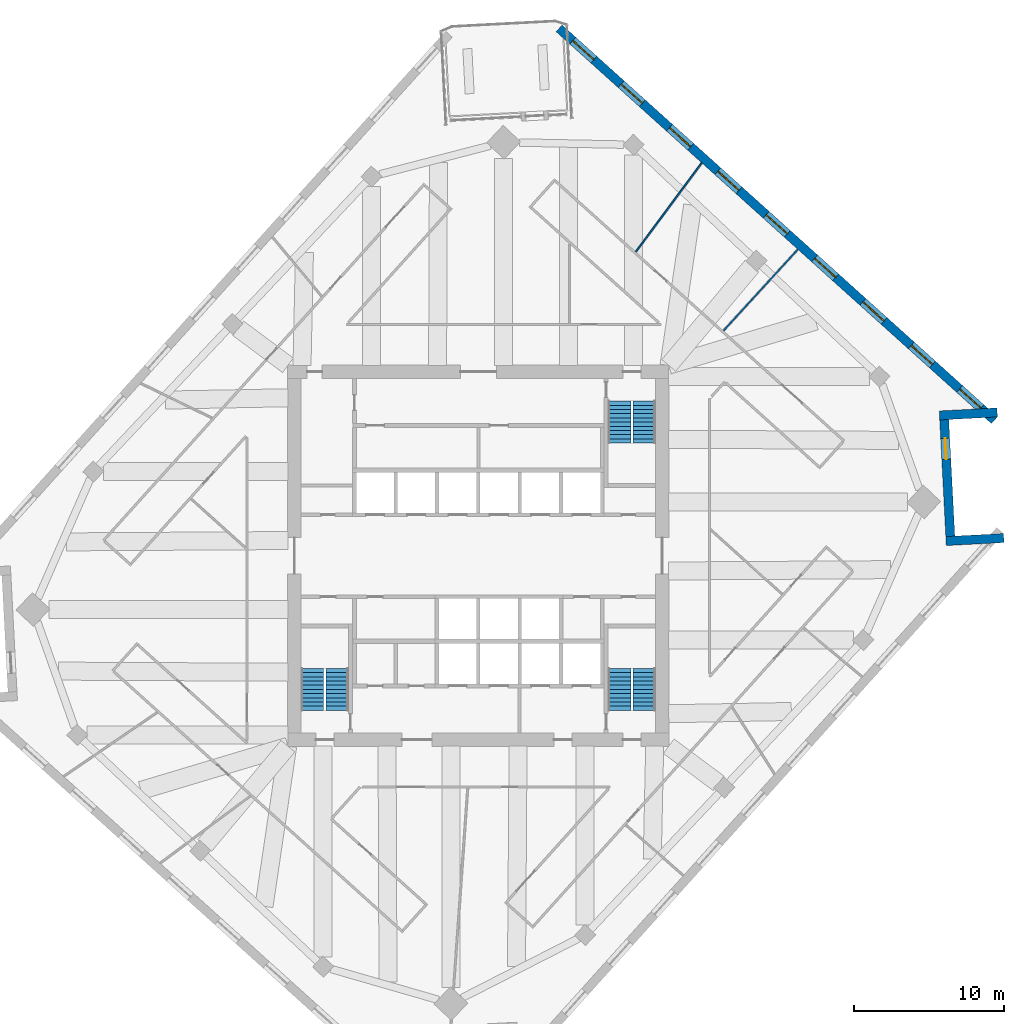
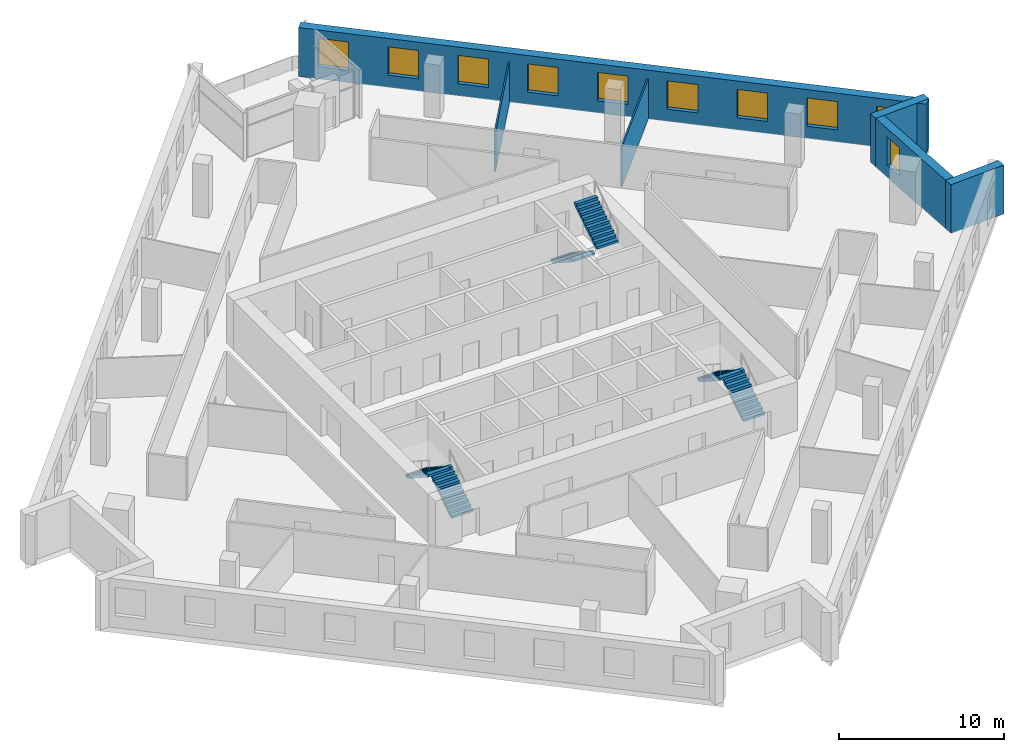
# One storey, part 10 of 12: 10 windows, 6 stair flights, 6 walls, 10 openings, 3 elements without a shape of their own.
"""IFC4 building model written with IfcOpenShell, lengths in metres."""

from ifc_helpers import new_model, si_unit, direction, frame, frame_2d, origin, place, context, subcontext, project, spatial, polyline, rectangle, outline, extrude, material, layer, layer_set, type_object, element, fill, aggregate, save


model = new_model("IFC4")

# Units and contexts
model_context = context("Model", 3, precision=1e-05, world=origin(), true_north=direction((0.0, 1.0)))
body_context = subcontext(model_context, "Body", "Model", "MODEL_VIEW")
ifc_project = project(units=[si_unit("LENGTHUNIT", "METRE"), si_unit("AREAUNIT", "SQUARE_METRE"), si_unit("VOLUMEUNIT", "CUBIC_METRE"), si_unit("PLANEANGLEUNIT", "RADIAN"), si_unit("MASSUNIT", "GRAM", prefix="KILO")], contexts=[model_context])

# Site, building, storey
site_placement = place(None, origin())
site = spatial("IfcSite", under=ifc_project, at=site_placement, CompositionType="ELEMENT")
building_placement = place(site_placement, origin())
building = spatial("IfcBuilding", under=site, at=building_placement, Name="Dilmun Exchange Tower", CompositionType="ELEMENT")
storey_placement = place(building_placement, frame((0.0, 0.0, 217.300048828125)))
storey = spatial("IfcBuildingStorey", under=building, at=storey_placement, Name="L51", CompositionType="ELEMENT", Elevation=217.300048828125)

# Walls
ifc_material_1 = material(Name="Partition 100")
ifc_layer_1 = layer(ifc_material_1, 0.10009765625)
ifc_layer_set_1 = layer_set([ifc_layer_1], Name="Partition 100")
wall_type_1 = type_object("IfcWallType", Name="Partition 100", PredefinedType="PARTITIONING", material=ifc_layer_set_1)
wall_1_placement = place(storey_placement, frame((10.48876953125, 20.23828125, 0.0), z_axis=(0.0, 0.0, 1.0), x_axis=(0.595992284238, 0.802990160045, 0.0)))
element("IfcWall", 1, at=wall_1_placement, inside=storey, type_object=wall_type_1, Name="Partition", PredefinedType="PARTITIONING", context=body_context, shape_type="SweptSolid", body=[
    extrude(rectangle(XDim=7.37255859375, YDim=0.10009765625, at=frame_2d((3.686279296875, 0.0))), origin(), (0.0, 0.0, 1.0), 2.969970703125),
])
wall_2_placement = place(storey_placement, frame((16.31884765625, 14.982666015625, 0.0), z_axis=(0.0, 0.0, 1.0), x_axis=(0.675134344503, 0.737694799272, 0.0)))
element("IfcWall", 2, at=wall_2_placement, inside=storey, type_object=wall_type_1, Name="Partition", PredefinedType="PARTITIONING", context=body_context, shape_type="SweptSolid", body=[
    extrude(rectangle(XDim=7.344482421875, YDim=0.10009765625, at=frame_2d((3.67236328125, 0.0))), origin(), (0.0, 0.0, 1.0), 2.969970703125),
])
ifc_material_2 = material(Name="Precast concrete C50/60", Category="concrete")
ifc_layer_2 = layer(ifc_material_2, 0.60009765625)
ifc_layer_set_2 = layer_set([ifc_layer_2], Name="Precast concrete C50/60")
wall_type_2 = type_object("IfcWallType", Name="Precast stone-clad wall 600", PredefinedType="STANDARD", material=ifc_layer_set_2)
wall_3_placement = place(storey_placement, frame((34.988037109375, 1.17919921875, 0.0), z_axis=(0.0, 0.0, 1.0), x_axis=(-0.998628154457, -0.05236228724, 0.0)))
element("IfcWall", 3, at=wall_3_placement, inside=storey, type_object=wall_type_2, Name="Facade wall L51-12", PredefinedType="STANDARD", context=body_context, shape_type="SweptSolid", body=[
    extrude(rectangle(XDim=3.8466796875, YDim=0.60009765625, at=frame_2d((1.92333984375, 0.0))), origin(), (0.0, 0.0, 1.0), 3.619873046875),
])

# Wall, opening, window
wall_4_placement = place(storey_placement, frame((31.4306640625, 1.293212890625, 0.0), z_axis=(0.0, 0.0, 1.0), x_axis=(-0.052323250701, 0.998630200543, 0.0)))
wall_4 = element("IfcWall", 4, at=wall_4_placement, inside=storey, type_object=wall_type_2, Name="Facade wall L51-13", PredefinedType="STANDARD", context=body_context, shape_type="SweptSolid", body=[
    extrude(rectangle(XDim=7.7783203125, YDim=0.60009765625, at=frame_2d((3.88916015625, 0.0))), origin(), (0.0, 0.0, 1.0), 3.619873046875),
])
opening_1_placement = place(wall_4_placement, frame((5.133544921875, 0.0, 0.89990234375)))
opening_1 = element("IfcOpeningElement", 5, at=opening_1_placement, cuts=wall_4, Name="Opening W140-210", PredefinedType="OPENING", context=body_context, shape_type="SweptSolid", body=[
    extrude(rectangle(XDim=1.39990234375, YDim=2.10009765625, at=frame_2d((0.699951171875, 1.050048828125))), frame((0.0, 0.31005859375, 0.0), z_axis=(0.0, -1.0, 0.0), x_axis=(1.0, 0.0, 0.0)), (0.0, 0.0, 1.0), 0.6201171875),
])
ifc_material_3 = material(Name="Clear low-emissivity glass in aluminium frame", Category="aluminium")
window_type_1 = type_object("IfcWindowType", Name="Punched window 1400 x 2100", PartitioningType="DOUBLE_PANEL_VERTICAL", PredefinedType="WINDOW", material=ifc_material_3)
window_1_placement = place(opening_1_placement, origin())
window_1 = element("IfcWindow", 6, at=window_1_placement, inside=storey, type_object=window_type_1, Name="Window 14.2", OverallHeight=2.10009765625, OverallWidth=1.39990234375, PartitioningType="SINGLE_PANEL", PredefinedType="WINDOW", context=body_context, shape_type="SweptSolid", body=[
    extrude(rectangle(XDim=1.39990234375, YDim=2.10009765625, at=frame_2d((0.699951171875, 1.050048828125))), frame((0.0, 0.030029296875, 0.0), z_axis=(0.0, -1.0, 0.0), x_axis=(1.0, 0.0, 0.0)), (0.0, 0.0, 1.0), 0.06005859375),
])
fill(opening_1, window_1)

# Wall
wall_5_placement = place(storey_placement, frame((30.70849609375, 9.344482421875, 0.0), z_axis=(0.0, 0.0, 1.0), x_axis=(0.99862798042, 0.052365606295, 0.0)))
element("IfcWall", 7, at=wall_5_placement, inside=storey, type_object=wall_type_2, Name="Facade wall L51-14", PredefinedType="STANDARD", context=body_context, shape_type="SweptSolid", body=[
    extrude(rectangle(XDim=3.846435546875, YDim=0.60009765625, at=frame_2d((1.92333984375, 0.0))), origin(), (0.0, 0.0, 1.0), 3.619873046875),
])

# Wall, openings, windows
wall_6_placement = place(storey_placement, frame((34.364501953125, 9.0234375, 0.0), z_axis=(0.0, 0.0, 1.0), x_axis=(-0.743146896498, 0.66912830625, 0.0)))
wall_6 = element("IfcWall", 8, at=wall_6_placement, inside=storey, type_object=wall_type_2, Name="Facade wall L51-15", PredefinedType="STANDARD", context=body_context, shape_type="SweptSolid", body=[
    extrude(rectangle(XDim=39.0, YDim=0.60009765625, at=frame_2d((19.5, 0.0))), origin(), (0.0, 0.0, 1.0), 3.619873046875),
])
opening_2_placement = place(wall_6_placement, frame((1.216796875, 0.0, 0.89990234375)))
opening_2 = element("IfcOpeningElement", 9, at=opening_2_placement, cuts=wall_6, Name="Opening W190-210", PredefinedType="OPENING", context=body_context, shape_type="SweptSolid", body=[
    extrude(rectangle(XDim=1.89990234375, YDim=2.10009765625, at=frame_2d((0.949951171875, 1.050048828125))), frame((0.0, 0.31005859375, 0.0), z_axis=(0.0, -1.0, 0.0), x_axis=(1.0, 0.0, 0.0)), (0.0, 0.0, 1.0), 0.6201171875),
])
opening_3_placement = place(wall_6_placement, frame((5.550048828125, 0.0, 0.89990234375)))
opening_3 = element("IfcOpeningElement", 10, at=opening_3_placement, cuts=wall_6, Name="Opening W190-210", PredefinedType="OPENING", context=body_context, shape_type="SweptSolid", body=[
    extrude(rectangle(XDim=1.89990234375, YDim=2.10009765625, at=frame_2d((0.949951171875, 1.050048828125))), frame((0.0, 0.31005859375, 0.0), z_axis=(0.0, -1.0, 0.0), x_axis=(1.0, 0.0, 0.0)), (0.0, 0.0, 1.0), 0.6201171875),
])
opening_4_placement = place(wall_6_placement, frame((9.88330078125, 0.0, 0.89990234375)))
opening_4 = element("IfcOpeningElement", 11, at=opening_4_placement, cuts=wall_6, Name="Opening W190-210", PredefinedType="OPENING", context=body_context, shape_type="SweptSolid", body=[
    extrude(rectangle(XDim=1.89990234375, YDim=2.10009765625, at=frame_2d((0.949951171875, 1.050048828125))), frame((0.0, 0.31005859375, 0.0), z_axis=(0.0, -1.0, 0.0), x_axis=(1.0, 0.0, 0.0)), (0.0, 0.0, 1.0), 0.6201171875),
])
opening_5_placement = place(wall_6_placement, frame((14.216796875, 0.0, 0.89990234375)))
opening_5 = element("IfcOpeningElement", 12, at=opening_5_placement, cuts=wall_6, Name="Opening W190-210", PredefinedType="OPENING", context=body_context, shape_type="SweptSolid", body=[
    extrude(rectangle(XDim=1.89990234375, YDim=2.10009765625, at=frame_2d((0.949951171875, 1.050048828125))), frame((0.0, 0.31005859375, 0.0), z_axis=(0.0, -1.0, 0.0), x_axis=(1.0, 0.0, 0.0)), (0.0, 0.0, 1.0), 0.6201171875),
])
opening_6_placement = place(wall_6_placement, frame((18.550048828125, 0.0, 0.89990234375)))
opening_6 = element("IfcOpeningElement", 13, at=opening_6_placement, cuts=wall_6, Name="Opening W190-210", PredefinedType="OPENING", context=body_context, shape_type="SweptSolid", body=[
    extrude(rectangle(XDim=1.89990234375, YDim=2.10009765625, at=frame_2d((0.949951171875, 1.050048828125))), frame((0.0, 0.31005859375, 0.0), z_axis=(0.0, -1.0, 0.0), x_axis=(1.0, 0.0, 0.0)), (0.0, 0.0, 1.0), 0.6201171875),
])
opening_7_placement = place(wall_6_placement, frame((22.88330078125, 0.0, 0.89990234375)))
opening_7 = element("IfcOpeningElement", 14, at=opening_7_placement, cuts=wall_6, Name="Opening W190-210", PredefinedType="OPENING", context=body_context, shape_type="SweptSolid", body=[
    extrude(rectangle(XDim=1.89990234375, YDim=2.10009765625, at=frame_2d((0.949951171875, 1.050048828125))), frame((0.0, 0.31005859375, 0.0), z_axis=(0.0, -1.0, 0.0), x_axis=(1.0, 0.0, 0.0)), (0.0, 0.0, 1.0), 0.6201171875),
])
opening_8_placement = place(wall_6_placement, frame((27.216796875, 0.0, 0.89990234375)))
opening_8 = element("IfcOpeningElement", 15, at=opening_8_placement, cuts=wall_6, Name="Opening W190-210", PredefinedType="OPENING", context=body_context, shape_type="SweptSolid", body=[
    extrude(rectangle(XDim=1.89990234375, YDim=2.10009765625, at=frame_2d((0.949951171875, 1.050048828125))), frame((0.0, 0.31005859375, 0.0), z_axis=(0.0, -1.0, 0.0), x_axis=(1.0, 0.0, 0.0)), (0.0, 0.0, 1.0), 0.6201171875),
])
opening_9_placement = place(wall_6_placement, frame((31.550048828125, 0.0, 0.89990234375)))
opening_9 = element("IfcOpeningElement", 16, at=opening_9_placement, cuts=wall_6, Name="Opening W190-210", PredefinedType="OPENING", context=body_context, shape_type="SweptSolid", body=[
    extrude(rectangle(XDim=1.89990234375, YDim=2.10009765625, at=frame_2d((0.949951171875, 1.050048828125))), frame((0.0, 0.31005859375, 0.0), z_axis=(0.0, -1.0, 0.0), x_axis=(1.0, 0.0, 0.0)), (0.0, 0.0, 1.0), 0.6201171875),
])
opening_10_placement = place(wall_6_placement, frame((35.88330078125, 0.0, 0.89990234375)))
opening_10 = element("IfcOpeningElement", 17, at=opening_10_placement, cuts=wall_6, Name="Opening W190-210", PredefinedType="OPENING", context=body_context, shape_type="SweptSolid", body=[
    extrude(rectangle(XDim=1.89990234375, YDim=2.10009765625, at=frame_2d((0.949951171875, 1.050048828125))), frame((0.0, 0.31005859375, 0.0), z_axis=(0.0, -1.0, 0.0), x_axis=(1.0, 0.0, 0.0)), (0.0, 0.0, 1.0), 0.6201171875),
])
window_type_2 = type_object("IfcWindowType", Name="Punched window 1900 x 2100", PartitioningType="DOUBLE_PANEL_VERTICAL", PredefinedType="WINDOW", material=ifc_material_3)
window_2_placement = place(opening_2_placement, origin())
window_2 = element("IfcWindow", 18, at=window_2_placement, inside=storey, type_object=window_type_2, Name="Window 16.1", OverallHeight=2.10009765625, OverallWidth=1.89990234375, PartitioningType="SINGLE_PANEL", PredefinedType="WINDOW", context=body_context, shape_type="SweptSolid", body=[
    extrude(rectangle(XDim=1.89990234375, YDim=2.10009765625, at=frame_2d((0.949951171875, 1.050048828125))), frame((0.0, 0.030029296875, 0.0), z_axis=(0.0, -1.0, 0.0), x_axis=(1.0, 0.0, 0.0)), (0.0, 0.0, 1.0), 0.06005859375),
])
fill(opening_2, window_2)
window_3_placement = place(opening_3_placement, origin())
window_3 = element("IfcWindow", 19, at=window_3_placement, inside=storey, type_object=window_type_2, Name="Window 16.2", OverallHeight=2.10009765625, OverallWidth=1.89990234375, PartitioningType="SINGLE_PANEL", PredefinedType="WINDOW", context=body_context, shape_type="SweptSolid", body=[
    extrude(rectangle(XDim=1.89990234375, YDim=2.10009765625, at=frame_2d((0.949951171875, 1.050048828125))), frame((0.0, 0.030029296875, 0.0), z_axis=(0.0, -1.0, 0.0), x_axis=(1.0, 0.0, 0.0)), (0.0, 0.0, 1.0), 0.06005859375),
])
fill(opening_3, window_3)
window_4_placement = place(opening_4_placement, origin())
window_4 = element("IfcWindow", 20, at=window_4_placement, inside=storey, type_object=window_type_2, Name="Window 16.3", OverallHeight=2.10009765625, OverallWidth=1.89990234375, PartitioningType="SINGLE_PANEL", PredefinedType="WINDOW", context=body_context, shape_type="SweptSolid", body=[
    extrude(rectangle(XDim=1.89990234375, YDim=2.10009765625, at=frame_2d((0.949951171875, 1.050048828125))), frame((0.0, 0.030029296875, 0.0), z_axis=(0.0, -1.0, 0.0), x_axis=(1.0, 0.0, 0.0)), (0.0, 0.0, 1.0), 0.06005859375),
])
fill(opening_4, window_4)
window_5_placement = place(opening_5_placement, origin())
window_5 = element("IfcWindow", 21, at=window_5_placement, inside=storey, type_object=window_type_2, Name="Window 16.4", OverallHeight=2.10009765625, OverallWidth=1.89990234375, PartitioningType="SINGLE_PANEL", PredefinedType="WINDOW", context=body_context, shape_type="SweptSolid", body=[
    extrude(rectangle(XDim=1.89990234375, YDim=2.10009765625, at=frame_2d((0.949951171875, 1.050048828125))), frame((0.0, 0.030029296875, 0.0), z_axis=(0.0, -1.0, 0.0), x_axis=(1.0, 0.0, 0.0)), (0.0, 0.0, 1.0), 0.06005859375),
])
fill(opening_5, window_5)
window_6_placement = place(opening_6_placement, origin())
window_6 = element("IfcWindow", 22, at=window_6_placement, inside=storey, type_object=window_type_2, Name="Window 16.5", OverallHeight=2.10009765625, OverallWidth=1.89990234375, PartitioningType="SINGLE_PANEL", PredefinedType="WINDOW", context=body_context, shape_type="SweptSolid", body=[
    extrude(rectangle(XDim=1.89990234375, YDim=2.10009765625, at=frame_2d((0.949951171875, 1.050048828125))), frame((0.0, 0.030029296875, 0.0), z_axis=(0.0, -1.0, 0.0), x_axis=(1.0, 0.0, 0.0)), (0.0, 0.0, 1.0), 0.06005859375),
])
fill(opening_6, window_6)
window_7_placement = place(opening_7_placement, origin())
window_7 = element("IfcWindow", 23, at=window_7_placement, inside=storey, type_object=window_type_2, Name="Window 16.6", OverallHeight=2.10009765625, OverallWidth=1.89990234375, PartitioningType="SINGLE_PANEL", PredefinedType="WINDOW", context=body_context, shape_type="SweptSolid", body=[
    extrude(rectangle(XDim=1.89990234375, YDim=2.10009765625, at=frame_2d((0.949951171875, 1.050048828125))), frame((0.0, 0.030029296875, 0.0), z_axis=(0.0, -1.0, 0.0), x_axis=(1.0, 0.0, 0.0)), (0.0, 0.0, 1.0), 0.06005859375),
])
fill(opening_7, window_7)
window_8_placement = place(opening_8_placement, origin())
window_8 = element("IfcWindow", 24, at=window_8_placement, inside=storey, type_object=window_type_2, Name="Window 16.7", OverallHeight=2.10009765625, OverallWidth=1.89990234375, PartitioningType="SINGLE_PANEL", PredefinedType="WINDOW", context=body_context, shape_type="SweptSolid", body=[
    extrude(rectangle(XDim=1.89990234375, YDim=2.10009765625, at=frame_2d((0.949951171875, 1.050048828125))), frame((0.0, 0.030029296875, 0.0), z_axis=(0.0, -1.0, 0.0), x_axis=(1.0, 0.0, 0.0)), (0.0, 0.0, 1.0), 0.06005859375),
])
fill(opening_8, window_8)
window_9_placement = place(opening_9_placement, origin())
window_9 = element("IfcWindow", 25, at=window_9_placement, inside=storey, type_object=window_type_2, Name="Window 16.8", OverallHeight=2.10009765625, OverallWidth=1.89990234375, PartitioningType="SINGLE_PANEL", PredefinedType="WINDOW", context=body_context, shape_type="SweptSolid", body=[
    extrude(rectangle(XDim=1.89990234375, YDim=2.10009765625, at=frame_2d((0.949951171875, 1.050048828125))), frame((0.0, 0.030029296875, 0.0), z_axis=(0.0, -1.0, 0.0), x_axis=(1.0, 0.0, 0.0)), (0.0, 0.0, 1.0), 0.06005859375),
])
fill(opening_9, window_9)
window_10_placement = place(opening_10_placement, origin())
window_10 = element("IfcWindow", 26, at=window_10_placement, inside=storey, type_object=window_type_2, Name="Window 16.9", OverallHeight=2.10009765625, OverallWidth=1.89990234375, PartitioningType="SINGLE_PANEL", PredefinedType="WINDOW", context=body_context, shape_type="SweptSolid", body=[
    extrude(rectangle(XDim=1.89990234375, YDim=2.10009765625, at=frame_2d((0.949951171875, 1.050048828125))), frame((0.0, 0.030029296875, 0.0), z_axis=(0.0, -1.0, 0.0), x_axis=(1.0, 0.0, 0.0)), (0.0, 0.0, 1.0), 0.06005859375),
])
fill(opening_10, window_10)

# Stair, stair flights
ifc_material_4 = material(Name="Concrete C40/50", Category="concrete")
stair_type = type_object("IfcStairType", Name="Exit stair 1500 half-turn", PredefinedType="HALF_TURN_STAIR", material=ifc_material_4)
stair_1_placement = place(storey_placement, origin())
stair_1 = element("IfcStair", 27, at=stair_1_placement, inside=storey, type_object=stair_type, Name="L51 Protected exit stair ST1", PredefinedType="HALF_TURN_STAIR")
stair_flight_type = type_object("IfcStairFlightType", Name="Exit stair flight 1500", PredefinedType="STRAIGHT", material=ifc_material_4)
stair_flight_1_placement = place(storey_placement, frame((9.39990234375, 10.300048828125, 0.0), z_axis=(0.0, 0.0, 1.0), x_axis=(0.0, -1.0, 0.0)))
stair_flight_1 = element("IfcStairFlight", 28, at=stair_flight_1_placement, type_object=stair_flight_type, Name="ST1 flight 1", NumberOfRisers=11, NumberOfTreads=10, PredefinedType="STRAIGHT", RiserHeight=0.181818182, TreadLength=0.28, context=body_context, shape_type="SweptSolid", body=[
    extrude(outline(polyline([(0.0, 0.0), (0.0, 0.181884765625), (0.280029296875, 0.181884765625), (0.280029296875, 0.363525390625), (0.56005859375, 0.363525390625), (0.56005859375, 0.54541015625), (0.840087890625, 0.54541015625), (0.840087890625, 0.727294921875), (1.1201171875, 0.727294921875), (1.1201171875, 0.9091796875), (1.39990234375, 0.9091796875), (1.39990234375, 1.0908203125), (1.679931640625, 1.0908203125), (1.679931640625, 1.272705078125), (1.9599609375, 1.272705078125), (1.9599609375, 1.45458984375), (2.239990234375, 1.45458984375), (2.239990234375, 1.636474609375), (2.52001953125, 1.636474609375), (2.52001953125, 1.818115234375), (2.800048828125, 1.818115234375), (2.800048828125, 2.0), (2.800048828125, 1.639404296875), (0.275146484375, 0.0), (0.0, 0.0)])), frame((0.0, 0.75, 0.0), z_axis=(0.0, -1.0, 0.0), x_axis=(1.0, 0.0, 0.0)), (0.0, 0.0, 1.0), 1.5),
])
stair_flight_2_placement = place(storey_placement, frame((11.050048828125, 7.5, 2.0), z_axis=(0.0, 0.0, 1.0), x_axis=(0.0, 1.0, 0.0)))
stair_flight_2 = element("IfcStairFlight", 29, at=stair_flight_2_placement, type_object=stair_flight_type, Name="ST1 flight 2", NumberOfRisers=11, NumberOfTreads=10, PredefinedType="STRAIGHT", RiserHeight=0.181818182, TreadLength=0.28, context=body_context, shape_type="SweptSolid", body=[
    extrude(outline(polyline([(0.0, 0.0), (0.0, 0.181884765625), (0.280029296875, 0.181884765625), (0.280029296875, 0.363525390625), (0.56005859375, 0.363525390625), (0.56005859375, 0.54541015625), (0.840087890625, 0.54541015625), (0.840087890625, 0.727294921875), (1.1201171875, 0.727294921875), (1.1201171875, 0.9091796875), (1.39990234375, 0.9091796875), (1.39990234375, 1.0908203125), (1.679931640625, 1.0908203125), (1.679931640625, 1.272705078125), (1.9599609375, 1.272705078125), (1.9599609375, 1.45458984375), (2.239990234375, 1.45458984375), (2.239990234375, 1.636474609375), (2.52001953125, 1.636474609375), (2.52001953125, 1.818115234375), (2.800048828125, 1.818115234375), (2.800048828125, 2.0), (2.800048828125, 1.639404296875), (0.275146484375, 0.0), (0.0, 0.0)])), frame((0.0, 0.75, 0.0), z_axis=(0.0, -1.0, 0.0), x_axis=(1.0, 0.0, 0.0)), (0.0, 0.0, 1.0), 1.5),
])
aggregate(stair_1, [stair_flight_1, stair_flight_2])

stair_2_placement = place(storey_placement, origin())
stair_2 = element("IfcStair", 30, at=stair_2_placement, inside=storey, type_object=stair_type, Name="L51 Protected exit stair ST2", PredefinedType="HALF_TURN_STAIR")
stair_flight_3_placement = place(storey_placement, frame((-9.39990234375, -10.300048828125, 0.0), z_axis=(0.0, 0.0, 1.0), x_axis=(0.0, 1.0, 0.0)))
stair_flight_3 = element("IfcStairFlight", 31, at=stair_flight_3_placement, type_object=stair_flight_type, Name="ST2 flight 1", NumberOfRisers=11, NumberOfTreads=10, PredefinedType="STRAIGHT", RiserHeight=0.181818182, TreadLength=0.28, context=body_context, shape_type="SweptSolid", body=[
    extrude(outline(polyline([(0.0, 0.0), (0.0, 0.181884765625), (0.280029296875, 0.181884765625), (0.280029296875, 0.363525390625), (0.56005859375, 0.363525390625), (0.56005859375, 0.54541015625), (0.840087890625, 0.54541015625), (0.840087890625, 0.727294921875), (1.1201171875, 0.727294921875), (1.1201171875, 0.9091796875), (1.39990234375, 0.9091796875), (1.39990234375, 1.0908203125), (1.679931640625, 1.0908203125), (1.679931640625, 1.272705078125), (1.9599609375, 1.272705078125), (1.9599609375, 1.45458984375), (2.239990234375, 1.45458984375), (2.239990234375, 1.636474609375), (2.52001953125, 1.636474609375), (2.52001953125, 1.818115234375), (2.800048828125, 1.818115234375), (2.800048828125, 2.0), (2.800048828125, 1.639404296875), (0.275146484375, 0.0), (0.0, 0.0)])), frame((0.0, 0.75, 0.0), z_axis=(0.0, -1.0, 0.0), x_axis=(1.0, 0.0, 0.0)), (0.0, 0.0, 1.0), 1.5),
])
stair_flight_4_placement = place(storey_placement, frame((-11.050048828125, -7.5, 2.0), z_axis=(0.0, 0.0, 1.0), x_axis=(0.0, -1.0, 0.0)))
stair_flight_4 = element("IfcStairFlight", 32, at=stair_flight_4_placement, type_object=stair_flight_type, Name="ST2 flight 2", NumberOfRisers=11, NumberOfTreads=10, PredefinedType="STRAIGHT", RiserHeight=0.181818182, TreadLength=0.28, context=body_context, shape_type="SweptSolid", body=[
    extrude(outline(polyline([(0.0, 0.0), (0.0, 0.181884765625), (0.280029296875, 0.181884765625), (0.280029296875, 0.363525390625), (0.56005859375, 0.363525390625), (0.56005859375, 0.54541015625), (0.840087890625, 0.54541015625), (0.840087890625, 0.727294921875), (1.1201171875, 0.727294921875), (1.1201171875, 0.9091796875), (1.39990234375, 0.9091796875), (1.39990234375, 1.0908203125), (1.679931640625, 1.0908203125), (1.679931640625, 1.272705078125), (1.9599609375, 1.272705078125), (1.9599609375, 1.45458984375), (2.239990234375, 1.45458984375), (2.239990234375, 1.636474609375), (2.52001953125, 1.636474609375), (2.52001953125, 1.818115234375), (2.800048828125, 1.818115234375), (2.800048828125, 2.0), (2.800048828125, 1.639404296875), (0.275146484375, 0.0), (0.0, 0.0)])), frame((0.0, 0.75, 0.0), z_axis=(0.0, -1.0, 0.0), x_axis=(1.0, 0.0, 0.0)), (0.0, 0.0, 1.0), 1.5),
])
aggregate(stair_2, [stair_flight_3, stair_flight_4])

stair_3_placement = place(storey_placement, origin())
stair_3 = element("IfcStair", 33, at=stair_3_placement, inside=storey, type_object=stair_type, Name="L51 Protected exit stair ST3", PredefinedType="HALF_TURN_STAIR")
stair_flight_5_placement = place(storey_placement, frame((11.050048828125, -10.300048828125, 0.0), z_axis=(0.0, 0.0, 1.0), x_axis=(0.0, 1.0, 0.0)))
stair_flight_5 = element("IfcStairFlight", 34, at=stair_flight_5_placement, type_object=stair_flight_type, Name="ST3 flight 1", NumberOfRisers=11, NumberOfTreads=10, PredefinedType="STRAIGHT", RiserHeight=0.181818182, TreadLength=0.28, context=body_context, shape_type="SweptSolid", body=[
    extrude(outline(polyline([(0.0, 0.0), (0.0, 0.181884765625), (0.280029296875, 0.181884765625), (0.280029296875, 0.363525390625), (0.56005859375, 0.363525390625), (0.56005859375, 0.54541015625), (0.840087890625, 0.54541015625), (0.840087890625, 0.727294921875), (1.1201171875, 0.727294921875), (1.1201171875, 0.9091796875), (1.39990234375, 0.9091796875), (1.39990234375, 1.0908203125), (1.679931640625, 1.0908203125), (1.679931640625, 1.272705078125), (1.9599609375, 1.272705078125), (1.9599609375, 1.45458984375), (2.239990234375, 1.45458984375), (2.239990234375, 1.636474609375), (2.52001953125, 1.636474609375), (2.52001953125, 1.818115234375), (2.800048828125, 1.818115234375), (2.800048828125, 2.0), (2.800048828125, 1.639404296875), (0.275146484375, 0.0), (0.0, 0.0)])), frame((0.0, 0.75, 0.0), z_axis=(0.0, -1.0, 0.0), x_axis=(1.0, 0.0, 0.0)), (0.0, 0.0, 1.0), 1.5),
])
stair_flight_6_placement = place(storey_placement, frame((9.39990234375, -7.5, 2.0), z_axis=(0.0, 0.0, 1.0), x_axis=(0.0, -1.0, 0.0)))
stair_flight_6 = element("IfcStairFlight", 35, at=stair_flight_6_placement, type_object=stair_flight_type, Name="ST3 flight 2", NumberOfRisers=11, NumberOfTreads=10, PredefinedType="STRAIGHT", RiserHeight=0.181818182, TreadLength=0.28, context=body_context, shape_type="SweptSolid", body=[
    extrude(outline(polyline([(0.0, 0.0), (0.0, 0.181884765625), (0.280029296875, 0.181884765625), (0.280029296875, 0.363525390625), (0.56005859375, 0.363525390625), (0.56005859375, 0.54541015625), (0.840087890625, 0.54541015625), (0.840087890625, 0.727294921875), (1.1201171875, 0.727294921875), (1.1201171875, 0.9091796875), (1.39990234375, 0.9091796875), (1.39990234375, 1.0908203125), (1.679931640625, 1.0908203125), (1.679931640625, 1.272705078125), (1.9599609375, 1.272705078125), (1.9599609375, 1.45458984375), (2.239990234375, 1.45458984375), (2.239990234375, 1.636474609375), (2.52001953125, 1.636474609375), (2.52001953125, 1.818115234375), (2.800048828125, 1.818115234375), (2.800048828125, 2.0), (2.800048828125, 1.639404296875), (0.275146484375, 0.0), (0.0, 0.0)])), frame((0.0, 0.75, 0.0), z_axis=(0.0, -1.0, 0.0), x_axis=(1.0, 0.0, 0.0)), (0.0, 0.0, 1.0), 1.5),
])
aggregate(stair_3, [stair_flight_5, stair_flight_6])

save(model, "model.ifc")
